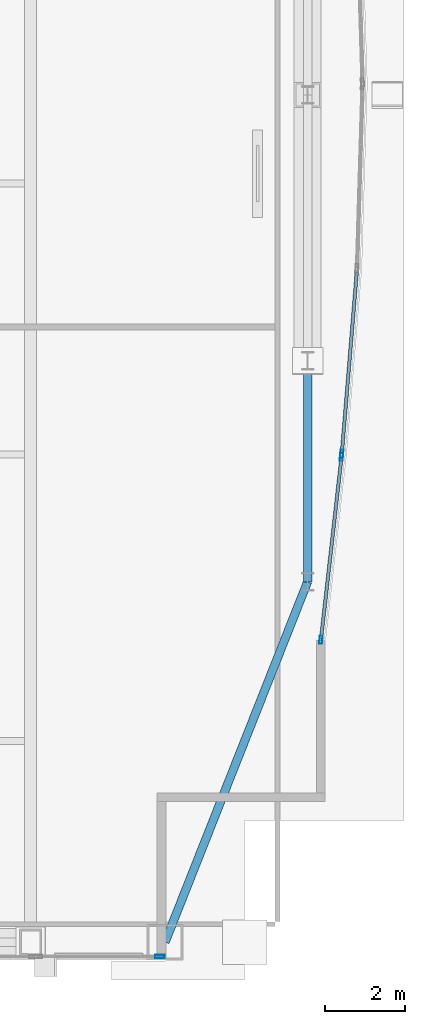
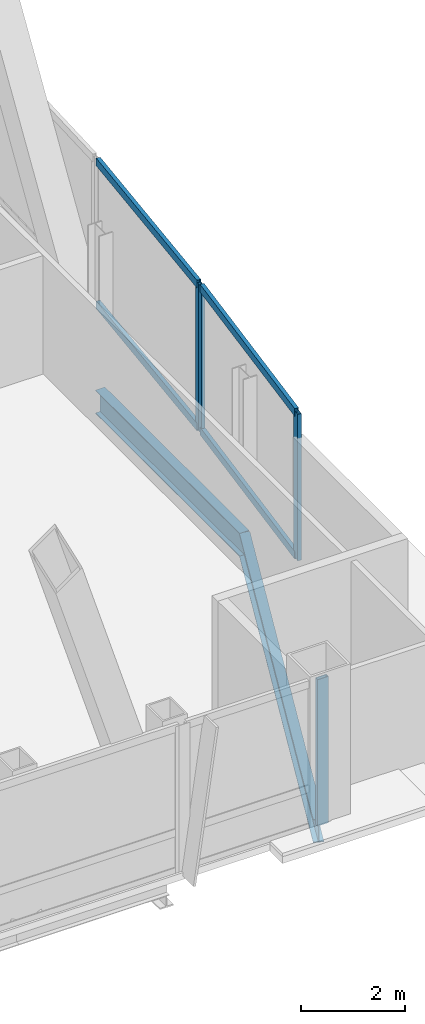
# One storey, part 14 of 28: 8 members, 2 beams, 3 elements without a shape of their own.
"""IFC4 building model written with IfcOpenShell, lengths in metres."""

from ifc_helpers import new_model, si_unit, direction, frame, origin, origin_2d, place, context, subcontext, project, spatial, hollow_rectangle, i_section, extrude, material, material_profile, profile_set, type_object, element, aggregate, save


model = new_model("IFC4")

# Units and contexts
model_context = context("Model", 3, precision=1e-05, world=origin(), true_north=direction((0.0, 1.0)))
body_context = subcontext(model_context, "Body", "Model", "MODEL_VIEW")
ifc_project = project(units=[si_unit("LENGTHUNIT", "METRE"), si_unit("AREAUNIT", "SQUARE_METRE"), si_unit("VOLUMEUNIT", "CUBIC_METRE"), si_unit("PLANEANGLEUNIT", "RADIAN"), si_unit("MASSUNIT", "GRAM", prefix="KILO")], contexts=[model_context])

# Site, building, storey
site_placement = place(None, origin())
site = spatial("IfcSite", under=ifc_project, at=site_placement, CompositionType="ELEMENT")
building_placement = place(site_placement, origin())
building = spatial("IfcBuilding", under=site, at=building_placement, Name="Khoronbel Lancet Exchange", CompositionType="ELEMENT")
storey_placement = place(building_placement, frame((0.0, 0.0, 291.39990234375)))
storey = spatial("IfcBuildingStorey", under=building, at=storey_placement, Name="L75", CompositionType="ELEMENT", Elevation=291.39990234375)

# Beams
ifc_material_1 = material(Name="Steel S355", Category="steel")
ifc_material_profile_1 = material_profile(ifc_material_1, i_section(OverallWidth=0.2099609375, OverallDepth=0.550048828125, WebThickness=0.010986328125, FlangeThickness=0.01708984375, at=origin_2d()), Name="IPE 550")
ifc_profile_set_1 = profile_set([ifc_material_profile_1], Name="Steel S355")
beam_type = type_object("IfcBeamType", Name="BM-BSP3", PredefinedType="SPANDREL", material=ifc_profile_set_1)
beam_1_placement = place(storey_placement, frame((58.050048828125, 10.14990234375, -0.434814453125), z_axis=(0.367828403855, 0.929893684954, 0.0), x_axis=(-0.929893684954, 0.367828403855, 0.0)))
element("IfcBeam", 1, at=beam_1_placement, inside=storey, type_object=beam_type, Name="Level L75 perimeter spandrel beam SP08", PredefinedType="SPANDREL", context=body_context, shape_type="SweptSolid", body=[
    extrude(i_section(OverallWidth=0.2099609375, OverallDepth=0.550048828125, WebThickness=0.010986328125, FlangeThickness=0.01708984375, at=origin_2d()), origin(), (0.0, 0.0, 1.0), 9.732421875),
])
beam_2_placement = place(storey_placement, frame((61.6298828125, 19.199951171875, -0.434814453125), z_axis=(0.0, 1.0, 0.0), x_axis=(-1.0, 0.0, 0.0)))
element("IfcBeam", 2, at=beam_2_placement, inside=storey, type_object=beam_type, Name="Level L75 perimeter spandrel beam SP09", PredefinedType="SPANDREL", context=body_context, shape_type="SweptSolid", body=[
    extrude(i_section(OverallWidth=0.2099609375, OverallDepth=0.550048828125, WebThickness=0.010986328125, FlangeThickness=0.01708984375, at=origin_2d()), origin(), (0.0, 0.0, 1.0), 5.550048828125),
])

# Curtain wall, member
ifc_material_2 = material(Name="Low-E Solar Control Insulating Glass", Category="glass")
curtain_wall_type_1 = type_object("IfcCurtainWallType", Name="CW-3", PredefinedType="NOTDEFINED", material=ifc_material_2)
curtain_wall_1_placement = place(storey_placement, origin())
curtain_wall_1 = element("IfcCurtainWall", 3, at=curtain_wall_1_placement, inside=storey, type_object=curtain_wall_type_1, Name="Unitised curtain wall CW-L75-SEV", PredefinedType="NOTDEFINED")
ifc_material_3 = material(Name="Bronze-Anodised Aluminium 6063-T6", Category="aluminium")
ifc_material_profile_2 = material_profile(ifc_material_3, hollow_rectangle(XDim=0.0849609375, YDim=0.239990234375, WallThickness=0.006103515625, at=origin_2d()), Name="ALU MULLION 85x240")
ifc_profile_set_2 = profile_set([ifc_material_profile_2], Name="Bronze-Anodised Aluminium 6063-T6")
member_type_1 = type_object("IfcMemberType", Name="MEM-CWM1", PredefinedType="MULLION", material=ifc_profile_set_2)
member_1_placement = place(storey_placement, frame((57.91748046875, 9.7900390625, 0.0), z_axis=(0.0, 0.0, 1.0), x_axis=(0.0, 1.0, 0.0)))
member_1 = element("IfcMember", 4, at=member_1_placement, type_object=member_type_1, Name="CW3 mullion 2", PredefinedType="MULLION", context=body_context, shape_type="SweptSolid", body=[
    extrude(hollow_rectangle(XDim=0.0849609375, YDim=0.239990234375, WallThickness=0.006103515625, at=origin_2d()), origin(), (0.0, 0.0, 1.0), 3.440185546875),
])
aggregate(curtain_wall_1, [member_1])

curtain_wall_type_2 = type_object("IfcCurtainWallType", Name="CW-4", PredefinedType="NOTDEFINED", material=ifc_material_2)
curtain_wall_2_placement = place(storey_placement, origin())
curtain_wall_2 = element("IfcCurtainWall", 5, at=curtain_wall_2_placement, inside=storey, type_object=curtain_wall_type_2, Name="Unitised curtain wall CW-L75-E21", PredefinedType="NOTDEFINED")
ifc_material_profile_3 = material_profile(ifc_material_3, hollow_rectangle(XDim=0.074951171875, YDim=0.199951171875, WallThickness=0.0048828125, at=origin_2d()), Name="ALU MULLION 75x200")
ifc_profile_set_3 = profile_set([ifc_material_profile_3], Name="Bronze-Anodised Aluminium 6063-T6")
member_type_2 = type_object("IfcMemberType", Name="MEM-CWM2", PredefinedType="MULLION", material=ifc_profile_set_3)
member_2_placement = place(storey_placement, frame((62.488525390625, 22.412841796875, 0.0), z_axis=(0.0, 0.0, 1.0), x_axis=(0.996626353667, -0.082072596992, 0.0)))
member_2 = element("IfcMember", 6, at=member_2_placement, type_object=member_type_2, Name="CW4 mullion 2", PredefinedType="MULLION", context=body_context, shape_type="SweptSolid", body=[
    extrude(hollow_rectangle(XDim=0.074951171875, YDim=0.199951171875, WallThickness=0.0048828125, at=origin_2d()), origin(), (0.0, 0.0, 1.0), 3.440185546875),
])

# Curtain wall, members
curtain_wall_3_placement = place(storey_placement, origin())
curtain_wall_3 = element("IfcCurtainWall", 7, at=curtain_wall_3_placement, inside=storey, type_object=curtain_wall_type_2, Name="Unitised curtain wall CW-L75-E22", PredefinedType="NOTDEFINED")
member_3_placement = place(storey_placement, frame((62.481201171875, 22.338134765625, 0.0), z_axis=(0.0, 0.0, 1.0), x_axis=(0.993731788903, -0.111790570813, 0.0)))
member_3 = element("IfcMember", 8, at=member_3_placement, type_object=member_type_2, Name="CW4 mullion 1", PredefinedType="MULLION", context=body_context, shape_type="SweptSolid", body=[
    extrude(hollow_rectangle(XDim=0.074951171875, YDim=0.199951171875, WallThickness=0.0048828125, at=origin_2d()), origin(), (0.0, 0.0, 1.0), 3.440185546875),
])
member_4_placement = place(storey_placement, frame((61.964111328125, 17.7421875, 0.0), z_axis=(0.0, 0.0, 1.0), x_axis=(0.993731788903, -0.111790570813, 0.0)))
member_4 = element("IfcMember", 9, at=member_4_placement, type_object=member_type_2, Name="CW4 mullion 2", PredefinedType="MULLION", context=body_context, shape_type="SweptSolid", body=[
    extrude(hollow_rectangle(XDim=0.074951171875, YDim=0.199951171875, WallThickness=0.0048828125, at=origin_2d()), origin(), (0.0, 0.0, 1.0), 3.440185546875),
])

# Member
ifc_material_profile_4 = material_profile(ifc_material_3, hollow_rectangle(XDim=0.0849609375, YDim=0.179931640625, WallThickness=0.0048828125, at=origin_2d()), Name="ALU TRANSOM 85x180")
ifc_profile_set_4 = profile_set([ifc_material_profile_4], Name="Bronze-Anodised Aluminium 6063-T6")
member_type_3 = type_object("IfcMemberType", Name="MEM-CWT1", PredefinedType="USERDEFINED", material=ifc_profile_set_4)
member_5_placement = place(storey_placement, frame((62.86328125, 26.963623046875, 0.04248046875), z_axis=(-0.082104072496, -0.996623761145, 0.0), x_axis=(0.996623761145, -0.082104072496, 0.0)))
member_5 = element("IfcMember", 10, at=member_5_placement, type_object=member_type_3, Name="CW4 transom 1.1", ObjectType="TRANSOM", PredefinedType="USERDEFINED", context=body_context, shape_type="SweptSolid", body=[
    extrude(hollow_rectangle(XDim=0.0849609375, YDim=0.179931640625, WallThickness=0.0048828125, at=origin_2d()), origin(), (0.0, 0.0, 1.0), 4.52880859375),
])

member_6_placement = place(storey_placement, frame((62.86328125, 26.963623046875, 3.397705078125), z_axis=(-0.082104072496, -0.996623761145, 0.0), x_axis=(0.996623761145, -0.082104072496, 0.0)))
member_6 = element("IfcMember", 11, at=member_6_placement, type_object=member_type_3, Name="CW4 transom 1.2", ObjectType="TRANSOM", PredefinedType="USERDEFINED", context=body_context, shape_type="SweptSolid", body=[
    extrude(hollow_rectangle(XDim=0.0849609375, YDim=0.179931640625, WallThickness=0.0048828125, at=origin_2d()), origin(), (0.0, 0.0, 1.0), 4.52880859375),
])

aggregate(curtain_wall_2, [member_2, member_5, member_6])

member_7_placement = place(storey_placement, frame((62.47705078125, 22.30078125, 0.04248046875), z_axis=(-0.111774239585, -0.993733625961, 0.0), x_axis=(0.993733625961, -0.111774239585, 0.0)))
member_7 = element("IfcMember", 12, at=member_7_placement, type_object=member_type_3, Name="CW4 transom 1.1", ObjectType="TRANSOM", PredefinedType="USERDEFINED", context=body_context, shape_type="SweptSolid", body=[
    extrude(hollow_rectangle(XDim=0.0849609375, YDim=0.179931640625, WallThickness=0.0048828125, at=origin_2d()), origin(), (0.0, 0.0, 1.0), 4.5498046875),
])

member_8_placement = place(storey_placement, frame((62.47705078125, 22.30078125, 3.397705078125), z_axis=(-0.111774239585, -0.993733625961, 0.0), x_axis=(0.993733625961, -0.111774239585, 0.0)))
member_8 = element("IfcMember", 13, at=member_8_placement, type_object=member_type_3, Name="CW4 transom 1.2", ObjectType="TRANSOM", PredefinedType="USERDEFINED", context=body_context, shape_type="SweptSolid", body=[
    extrude(hollow_rectangle(XDim=0.0849609375, YDim=0.179931640625, WallThickness=0.0048828125, at=origin_2d()), origin(), (0.0, 0.0, 1.0), 4.5498046875),
])

aggregate(curtain_wall_3, [member_3, member_4, member_7, member_8])

save(model, "model.ifc")
